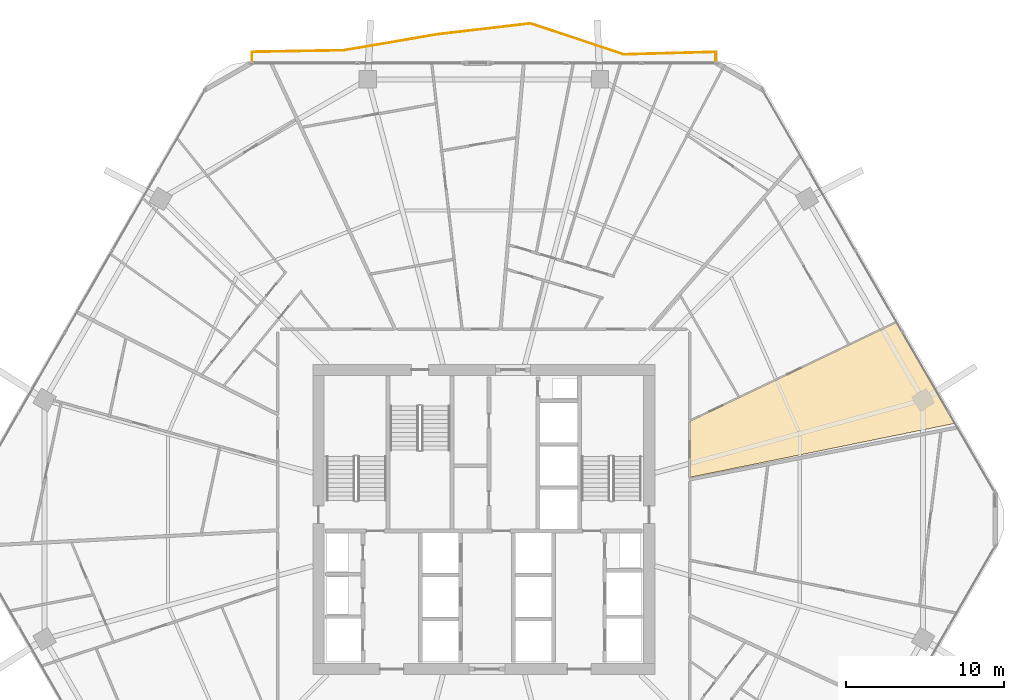
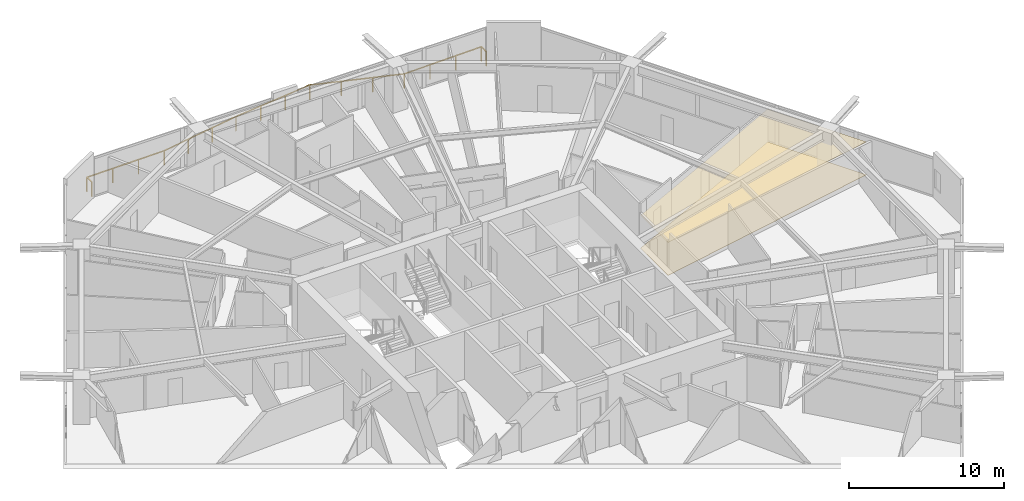
# One storey, part 33 of 33: 2 coverings, 1 railing.
"""IFC4 building model written with IfcOpenShell, lengths in metres."""

from ifc_helpers import new_model, si_unit, direction, frame, origin, origin_2d, place, context, subcontext, project, spatial, polyline, rectangle, outline, extrude, material, layer, layer_set, type_object, element, save


model = new_model("IFC4")

# Units and contexts
model_context = context("Model", 3, precision=1e-05, world=origin(), true_north=direction((0.0, 1.0)))
body_context = subcontext(model_context, "Body", "Model", "MODEL_VIEW")
ifc_project = project(units=[si_unit("LENGTHUNIT", "METRE"), si_unit("AREAUNIT", "SQUARE_METRE"), si_unit("VOLUMEUNIT", "CUBIC_METRE"), si_unit("PLANEANGLEUNIT", "RADIAN"), si_unit("MASSUNIT", "GRAM", prefix="KILO")], contexts=[model_context])

# Site, building, storey
site_placement = place(None, origin())
site = spatial("IfcSite", under=ifc_project, at=site_placement, CompositionType="ELEMENT")
building_placement = place(site_placement, origin())
building = spatial("IfcBuilding", under=site, at=building_placement, Name="Zuhravey Tower", CompositionType="ELEMENT")
storey_placement = place(building_placement, frame((0.0, 0.0, 126.60009765625)))
storey = spatial("IfcBuildingStorey", under=building, at=storey_placement, Name="L31", CompositionType="ELEMENT", Elevation=126.60009765625)

# Coverings
ifc_material_1 = material(Name="Mineral-fibre acoustic ceiling tile")
ifc_layer_1 = layer(ifc_material_1, 0.02490234375)
ifc_layer_set_1 = layer_set([ifc_layer_1], Name="Mineral-fibre acoustic ceiling tile")
covering_type_1 = type_object("IfcCoveringType", Name="Acoustic Suspended Ceiling", PredefinedType="CEILING", material=ifc_layer_set_1)
covering_1_placement = place(storey_placement, frame((0.0, 0.0, 2.58984375)))
element("IfcCovering", 1, at=covering_1_placement, inside=storey, type_object=covering_type_1, Name="L31 Acoustic Suspended Ceiling CLG1", PredefinedType="CEILING", context=body_context, shape_type="SweptSolid", body=[
    extrude(outline(polyline([(62.177001953125, 44.497314453125), (65.87158203125, 38.097900390625), (49.080078125, 34.681640625), (49.080078125, 38.2333984375), (62.177001953125, 44.497314453125)])), origin(), (0.0, 0.0, 1.0), 0.025146484375),
])
ifc_material_2 = material(Name="Porcelain tile finish")
ifc_layer_2 = layer(ifc_material_2, 0.02001953125)
ifc_layer_set_2 = layer_set([ifc_layer_2], Name="Porcelain tile finish")
covering_type_2 = type_object("IfcCoveringType", Name="Apartment Ondol Porcelain Flooring", PredefinedType="FLOORING", material=ifc_layer_set_2)
covering_2_placement = place(storey_placement, origin())
element("IfcCovering", 2, at=covering_2_placement, inside=storey, type_object=covering_type_2, Name="L31 Principal Room Acoustic Flooring", PredefinedType="FLOORING", context=body_context, shape_type="SweptSolid", body=[
    extrude(outline(polyline([(62.177001953125, 44.497314453125), (65.87158203125, 38.097900390625), (49.080078125, 34.681640625), (49.080078125, 38.2333984375), (62.177001953125, 44.497314453125)])), origin(), (0.0, 0.0, 1.0), 0.02001953125),
])

# Railing
ifc_material_3 = material(Name="Stainless steel 316 and laminated glass", Category="steel")
railing_type = type_object("IfcRailingType", Name="Balcony & Terrace Guardrail 1150", PredefinedType="BALUSTRADE", material=ifc_material_3)
railing_placement = place(storey_placement, frame((21.271728515625, 61.04345703125, 0.0)))
element("IfcRailing", 3, at=railing_placement, inside=storey, type_object=railing_type, Name="L31 Face 2 Wave Balcony Guardrail GR1", PredefinedType="BALUSTRADE", context=body_context, shape_type="SweptSolid", body=[
    extrude(rectangle(XDim=0.048095703125, YDim=0.048095703125, at=origin_2d()), frame((0.0, 0.001953125, 1.1259765625), z_axis=(0.0, 1.0, 0.0), x_axis=(-1.0, 0.0, 0.0)), (0.0, 0.0, 1.0), 0.637939453125),
    extrude(rectangle(XDim=0.048095703125, YDim=0.048095703125, at=origin_2d()), frame((0.001953125, 0.641845703125, 1.1259765625), z_axis=(0.999856729944, 0.016926889421, 0.0), x_axis=(-0.016926889421, 0.999856729944, 0.0)), (0.0, 0.0, 1.0), 5.83740234375),
    extrude(rectangle(XDim=0.048095703125, YDim=0.048095703125, at=origin_2d()), frame((5.842529296875, 0.740966796875, 1.1259765625), z_axis=(0.985678137266, 0.16863750981, 0.0), x_axis=(-0.16863750981, 0.985678137266, 0.0)), (0.0, 0.0, 1.0), 6.0185546875),
    extrude(rectangle(XDim=0.048095703125, YDim=0.048095703125, at=origin_2d()), frame((11.77880859375, 1.756591796875, 1.1259765625), z_axis=(0.993247221374, 0.116017055783, 0.0), x_axis=(-0.116017055783, 0.993247221374, 0.0)), (0.0, 0.0, 1.0), 5.94287109375),
    extrude(rectangle(XDim=0.048095703125, YDim=0.048095703125, at=origin_2d()), frame((17.685546875, 2.445556640625, 1.1259765625), z_axis=(0.949128065899, -0.314890321418, 0.0), x_axis=(0.314890321418, 0.949128065899, 0.0)), (0.0, 0.0, 1.0), 6.240478515625),
    extrude(rectangle(XDim=0.048095703125, YDim=0.048095703125, at=origin_2d()), frame((23.6123046875, 0.47998046875, 1.1259765625), z_axis=(0.999637433865, 0.026925839173, 0.0), x_axis=(-0.026925839173, 0.999637433865, 0.0)), (0.0, 0.0, 1.0), 5.84423828125),
    extrude(rectangle(XDim=0.048095703125, YDim=0.048095703125, at=origin_2d()), frame((29.45654296875, 0.635498046875, 1.1259765625), z_axis=(0.0, -1.0, 0.0), x_axis=(1.0, 0.0, 0.0)), (0.0, 0.0, 1.0), 0.633544921875),
    extrude(rectangle(XDim=0.0419921875, YDim=0.0419921875, at=origin_2d()), origin(), (0.0, 0.0, 1.0), 1.099853515625),
    extrude(rectangle(XDim=0.0419921875, YDim=0.0419921875, at=origin_2d()), frame((0.0, 0.641845703125, 0.0)), (0.0, 0.0, 1.0), 1.099853515625),
    extrude(rectangle(XDim=0.0419921875, YDim=0.0419921875, at=origin_2d()), frame((1.94677734375, 0.6748046875, 0.0)), (0.0, 0.0, 1.0), 1.099853515625),
    extrude(rectangle(XDim=0.0419921875, YDim=0.0419921875, at=origin_2d()), frame((3.893798828125, 0.707763671875, 0.0)), (0.0, 0.0, 1.0), 1.099853515625),
    extrude(rectangle(XDim=0.0419921875, YDim=0.0419921875, at=origin_2d()), frame((5.840576171875, 0.74072265625, 0.0)), (0.0, 0.0, 1.0), 1.099853515625),
    extrude(rectangle(XDim=0.0419921875, YDim=0.0419921875, at=origin_2d()), frame((7.8193359375, 1.079345703125, 0.0)), (0.0, 0.0, 1.0), 1.099853515625),
    extrude(rectangle(XDim=0.0419921875, YDim=0.0419921875, at=origin_2d()), frame((9.798095703125, 1.417724609375, 0.0)), (0.0, 0.0, 1.0), 1.099853515625),
    extrude(rectangle(XDim=0.0419921875, YDim=0.0419921875, at=origin_2d()), frame((11.77685546875, 1.75634765625, 0.0)), (0.0, 0.0, 1.0), 1.099853515625),
    extrude(rectangle(XDim=0.0419921875, YDim=0.0419921875, at=origin_2d()), frame((13.745849609375, 1.986328125, 0.0)), (0.0, 0.0, 1.0), 1.099853515625),
    extrude(rectangle(XDim=0.0419921875, YDim=0.0419921875, at=origin_2d()), frame((15.714599609375, 2.21630859375, 0.0)), (0.0, 0.0, 1.0), 1.099853515625),
    extrude(rectangle(XDim=0.0419921875, YDim=0.0419921875, at=origin_2d()), frame((17.68359375, 2.4462890625, 0.0)), (0.0, 0.0, 1.0), 1.099853515625),
    extrude(rectangle(XDim=0.0419921875, YDim=0.0419921875, at=origin_2d()), frame((19.6591796875, 1.790771484375, 0.0)), (0.0, 0.0, 1.0), 1.099853515625),
    extrude(rectangle(XDim=0.0419921875, YDim=0.0419921875, at=origin_2d()), frame((21.634765625, 1.135498046875, 0.0)), (0.0, 0.0, 1.0), 1.099853515625),
    extrude(rectangle(XDim=0.0419921875, YDim=0.0419921875, at=origin_2d()), frame((23.6103515625, 0.47998046875, 0.0)), (0.0, 0.0, 1.0), 1.099853515625),
    extrude(rectangle(XDim=0.0419921875, YDim=0.0419921875, at=origin_2d()), frame((25.55908203125, 0.532470703125, 0.0)), (0.0, 0.0, 1.0), 1.099853515625),
    extrude(rectangle(XDim=0.0419921875, YDim=0.0419921875, at=origin_2d()), frame((27.5078125, 0.5849609375, 0.0)), (0.0, 0.0, 1.0), 1.099853515625),
    extrude(rectangle(XDim=0.0419921875, YDim=0.0419921875, at=origin_2d()), frame((29.45654296875, 0.637451171875, 0.0)), (0.0, 0.0, 1.0), 1.099853515625),
    extrude(rectangle(XDim=0.0419921875, YDim=0.0419921875, at=origin_2d()), frame((29.45654296875, 0.0, 0.0)), (0.0, 0.0, 1.0), 1.099853515625),
])

save(model, "model.ifc")
